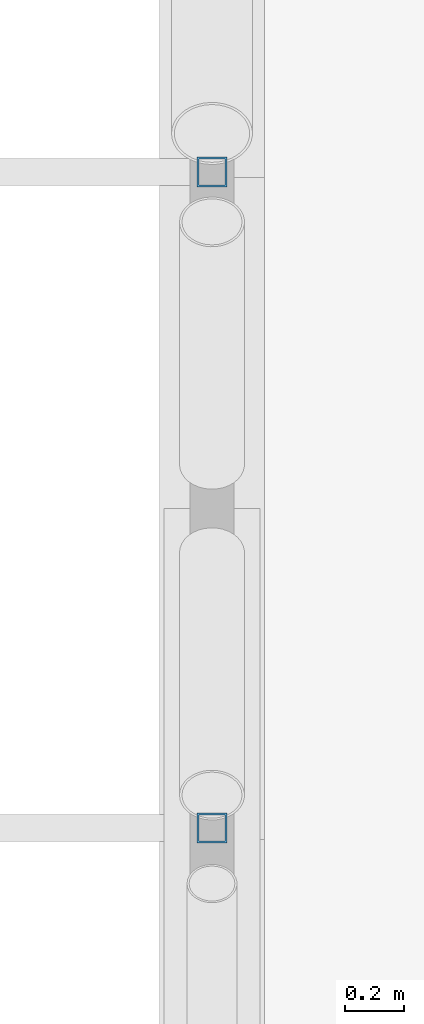
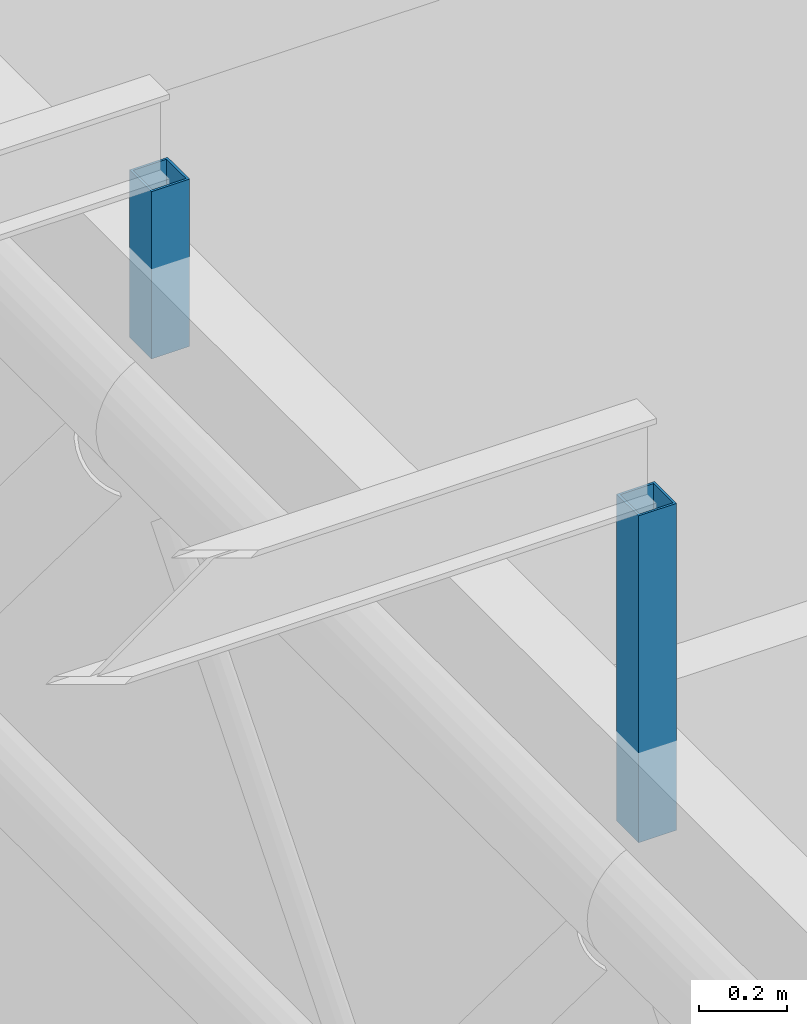
# One storey, part 98 of 138: 2 members.
"""IFC4 building model written with IfcOpenShell, lengths in metres."""

from ifc_helpers import new_model, si_unit, direction, frame, origin, origin_2d, place, context, subcontext, project, spatial, hollow_rectangle, extrude, material, material_profile, profile_set, type_object, element, save


model = new_model("IFC4")

# Units and contexts
model_context = context("Model", 3, precision=1e-05, world=origin(), true_north=direction((0.0, 1.0)))
body_context = subcontext(model_context, "Body", "Model", "MODEL_VIEW")
ifc_project = project(units=[si_unit("LENGTHUNIT", "METRE"), si_unit("AREAUNIT", "SQUARE_METRE"), si_unit("VOLUMEUNIT", "CUBIC_METRE"), si_unit("PLANEANGLEUNIT", "RADIAN"), si_unit("MASSUNIT", "GRAM", prefix="KILO")], contexts=[model_context])

# Site, building, storey
site_placement = place(None, origin())
site = spatial("IfcSite", under=ifc_project, at=site_placement, CompositionType="ELEMENT")
building_placement = place(site_placement, origin())
building = spatial("IfcBuilding", under=site, at=building_placement, Name="Corbel Yard City Hall", CompositionType="ELEMENT")
storey_placement = place(building_placement, frame((0.0, 0.0, 10.5)))
storey = spatial("IfcBuildingStorey", under=building, at=storey_placement, Name="L02", CompositionType="ELEMENT", Elevation=10.5)

# Members
ifc_material = material(Name="Steel Grade C450L0", Category="steel")
ifc_material_profile = material_profile(ifc_material, hollow_rectangle(XDim=0.10009765625, YDim=0.10009765625, WallThickness=0.006103515625, at=origin_2d()), Name="100x100x6.0SHS")
ifc_profile_set = profile_set([ifc_material_profile], Name="Steel Grade C450L0")
member_type = type_object("IfcMemberType", Name="Roof post 100x100x6.0SHS", PredefinedType="POST", material=ifc_profile_set)
member_1_placement = place(storey_placement, frame((162.0, 22.423828125, 4.10009765625), z_axis=(0.0, 0.0, 1.0), x_axis=(1.0, 0.0, 0.0)))
element("IfcMember", 1, at=member_1_placement, inside=storey, type_object=member_type, Name="Roof post 100x100x6.0SHS RP3", PredefinedType="POST", context=body_context, shape_type="SweptSolid", body=[
    extrude(hollow_rectangle(XDim=0.10009765625, YDim=0.10009765625, WallThickness=0.006103515625, at=origin_2d()), origin(), (0.0, 0.0, 1.0), 0.90625),
])
member_2_placement = place(storey_placement, frame((162.0, 24.6357421875, 4.10009765625), z_axis=(0.0, 0.0, 1.0), x_axis=(1.0, 0.0, 0.0)))
element("IfcMember", 2, at=member_2_placement, inside=storey, type_object=member_type, Name="Roof post 100x100x6.0SHS RP3", PredefinedType="POST", context=body_context, shape_type="SweptSolid", body=[
    extrude(hollow_rectangle(XDim=0.10009765625, YDim=0.10009765625, WallThickness=0.006103515625, at=origin_2d()), origin(), (0.0, 0.0, 1.0), 0.4638671875),
])

save(model, "model.ifc")
